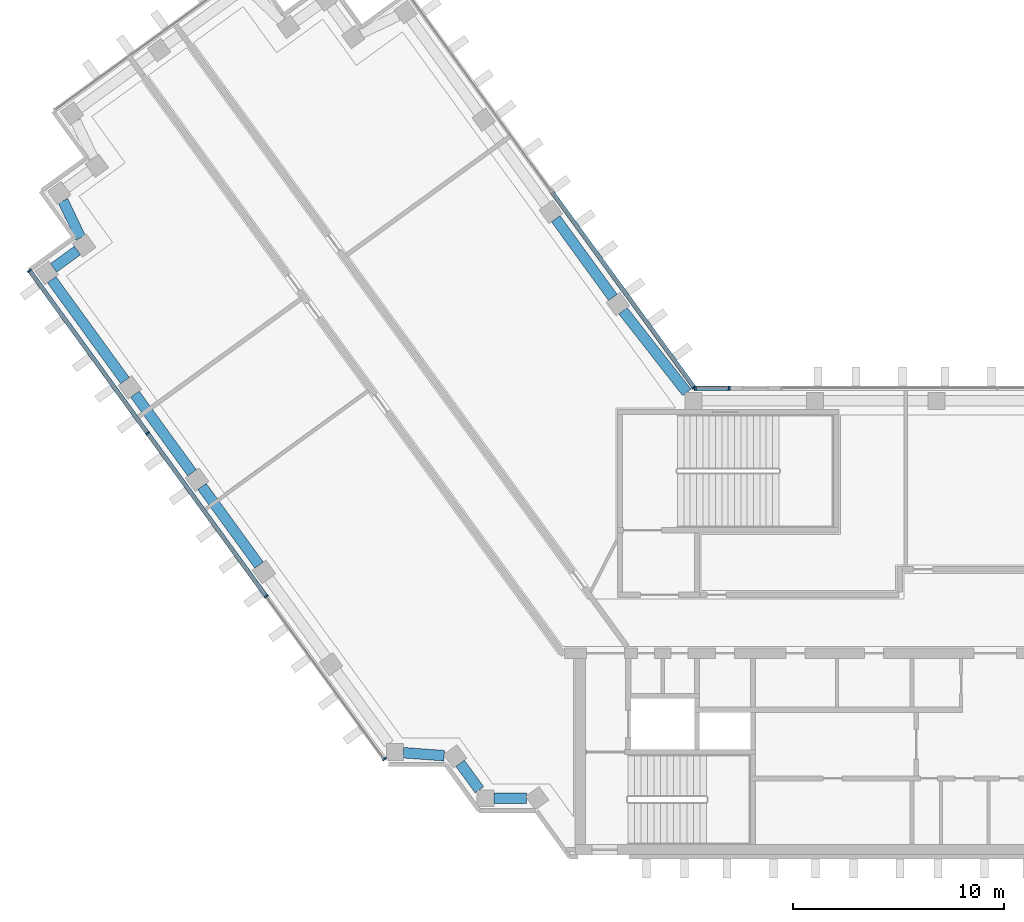
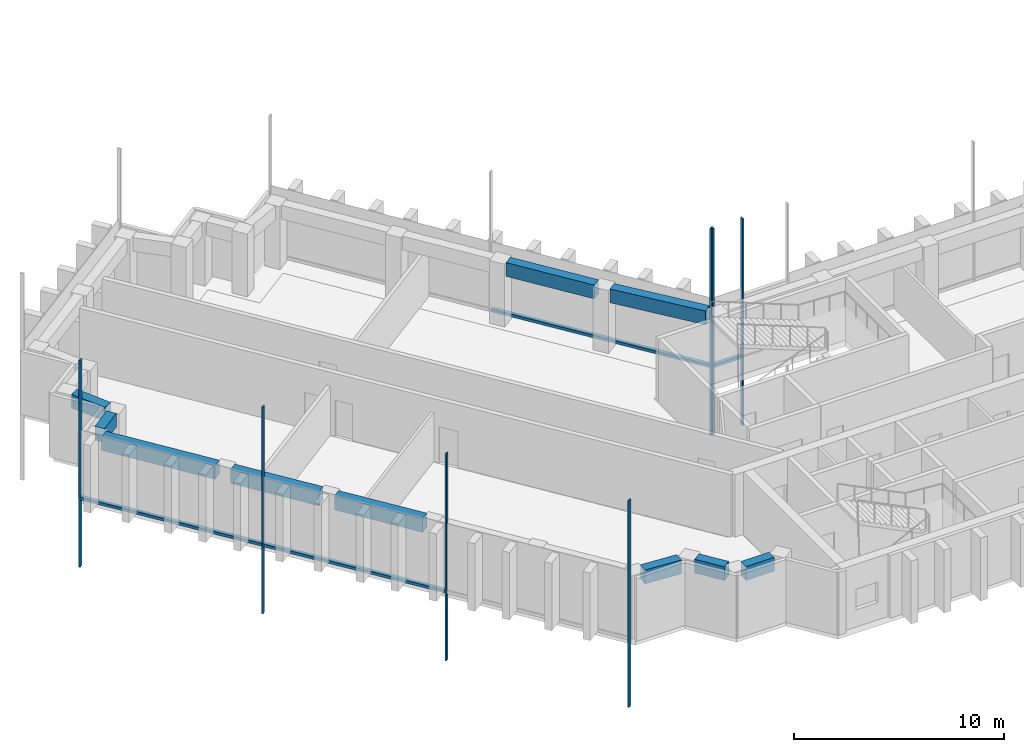
# One storey, part 2 of 12: 11 members, 10 beams, 3 elements without a shape of their own.
"""IFC4 building model written with IfcOpenShell, lengths in metres."""

from ifc_helpers import new_model, si_unit, direction, frame, origin, origin_2d, place, context, subcontext, project, spatial, rectangle, extrude, material, material_profile, profile_set, type_object, element, aggregate, save


model = new_model("IFC4")

# Units and contexts
model_context = context("Model", 3, precision=1e-05, world=origin(), true_north=direction((0.0, 1.0)))
body_context = subcontext(model_context, "Body", "Model", "MODEL_VIEW")
ifc_project = project(units=[si_unit("LENGTHUNIT", "METRE"), si_unit("AREAUNIT", "SQUARE_METRE"), si_unit("VOLUMEUNIT", "CUBIC_METRE"), si_unit("PLANEANGLEUNIT", "RADIAN"), si_unit("MASSUNIT", "GRAM", prefix="KILO")], contexts=[model_context])

# Site, building, storey
site_placement = place(None, origin())
site = spatial("IfcSite", under=ifc_project, at=site_placement, CompositionType="ELEMENT")
building_placement = place(site_placement, origin())
building = spatial("IfcBuilding", under=site, at=building_placement, Name="Quipu Civic Tower", CompositionType="ELEMENT")
storey_placement = place(building_placement, frame((0.0, 0.0, 234.0)))
storey = spatial("IfcBuildingStorey", under=building, at=storey_placement, Name="L55", CompositionType="ELEMENT", Elevation=234.0)

# Curtain wall, member
ifc_material_1 = material(Name="Insulated glass unit", Category="glass")
curtain_wall_type = type_object("IfcCurtainWallType", Name="Office curtain wall CW1", PredefinedType="NOTDEFINED", material=ifc_material_1)
curtain_wall_1_placement = place(storey_placement, origin())
curtain_wall_1 = element("IfcCurtainWall", 1, at=curtain_wall_1_placement, inside=storey, type_object=curtain_wall_type, Name="Office curtain wall CW1 L54 run 1", PredefinedType="NOTDEFINED")
ifc_material_2 = material(Name="Anodised aluminium", Category="aluminium")
ifc_material_profile_1 = material_profile(ifc_material_2, rectangle(XDim=0.199951171875, YDim=0.080078125, at=origin_2d()), Name="RECT 200x80")
ifc_profile_set_1 = profile_set([ifc_material_profile_1], Name="Anodised aluminium")
member_type_1 = type_object("IfcMemberType", Name="Mullion CW1", PredefinedType="MULLION", material=ifc_profile_set_1)
member_1_placement = place(storey_placement, frame((-14.36767578125, 11.13232421875, -3.919921875), z_axis=(0.0, 0.0, 1.0), x_axis=(-0.809014469803, -0.587788727052, 0.0)))
member_1 = element("IfcMember", 2, at=member_1_placement, type_object=member_type_1, Name="CW1 mullion 1", PredefinedType="MULLION", context=body_context, shape_type="SweptSolid", body=[
    extrude(rectangle(XDim=0.199951171875, YDim=0.080078125, at=origin_2d()), origin(), (0.0, 0.0, 1.0), 12.0),
])

# Curtain wall, members
curtain_wall_2_placement = place(storey_placement, origin())
curtain_wall_2 = element("IfcCurtainWall", 3, at=curtain_wall_2_placement, inside=storey, type_object=curtain_wall_type, Name="Office curtain wall CW1 L54 run 11", PredefinedType="NOTDEFINED")
member_2_placement = place(storey_placement, frame((-45.825927734375, 16.661865234375, -3.919921875), z_axis=(0.0, 0.0, 1.0), x_axis=(0.80901667469, 0.5877856923, 0.0)))
member_2 = element("IfcMember", 4, at=member_2_placement, type_object=member_type_1, Name="CW1 mullion 1", PredefinedType="MULLION", context=body_context, shape_type="SweptSolid", body=[
    extrude(rectangle(XDim=0.199951171875, YDim=0.080078125, at=origin_2d()), origin(), (0.0, 0.0, 1.0), 12.0),
])
member_3_placement = place(storey_placement, frame((-40.23486328125, 8.966552734375, -3.919921875), z_axis=(0.0, 0.0, 1.0), x_axis=(0.80901667469, 0.5877856923, 0.0)))
member_3 = element("IfcMember", 5, at=member_3_placement, type_object=member_type_1, Name="CW1 mullion 2", PredefinedType="MULLION", context=body_context, shape_type="SweptSolid", body=[
    extrude(rectangle(XDim=0.199951171875, YDim=0.080078125, at=origin_2d()), origin(), (0.0, 0.0, 1.0), 12.0),
])
member_4_placement = place(storey_placement, frame((-34.620361328125, 1.23876953125, -3.919921875), z_axis=(0.0, 0.0, 1.0), x_axis=(0.80901667469, 0.5877856923, 0.0)))
member_4 = element("IfcMember", 6, at=member_4_placement, type_object=member_type_1, Name="CW1 mullion 3", PredefinedType="MULLION", context=body_context, shape_type="SweptSolid", body=[
    extrude(rectangle(XDim=0.199951171875, YDim=0.080078125, at=origin_2d()), origin(), (0.0, 0.0, 1.0), 12.0),
])
member_5_placement = place(storey_placement, frame((-29.029296875, -6.45654296875, -3.919921875), z_axis=(0.0, 0.0, 1.0), x_axis=(0.80901667469, 0.5877856923, 0.0)))
member_5 = element("IfcMember", 7, at=member_5_placement, type_object=member_type_1, Name="CW1 mullion 4", PredefinedType="MULLION", context=body_context, shape_type="SweptSolid", body=[
    extrude(rectangle(XDim=0.199951171875, YDim=0.080078125, at=origin_2d()), origin(), (0.0, 0.0, 1.0), 12.0),
])

curtain_wall_3_placement = place(storey_placement, origin())
curtain_wall_3 = element("IfcCurtainWall", 8, at=curtain_wall_3_placement, inside=storey, type_object=curtain_wall_type, Name="Office curtain wall CW1 L54 run 31", PredefinedType="NOTDEFINED")
member_6_placement = place(storey_placement, frame((-12.695068359375, 11.10009765625, -3.919921875), z_axis=(0.0, 0.0, 1.0), x_axis=(0.0, -1.0, 0.0)))
member_6 = element("IfcMember", 9, at=member_6_placement, type_object=member_type_1, Name="CW1 mullion 1", PredefinedType="MULLION", context=body_context, shape_type="SweptSolid", body=[
    extrude(rectangle(XDim=0.199951171875, YDim=0.080078125, at=origin_2d()), origin(), (0.0, 0.0, 1.0), 12.0),
])
member_7_placement = place(storey_placement, frame((-14.30419921875, 11.10009765625, -3.919921875), z_axis=(0.0, 0.0, 1.0), x_axis=(0.0, -1.0, 0.0)))
member_7 = element("IfcMember", 10, at=member_7_placement, type_object=member_type_1, Name="CW1 mullion 2", PredefinedType="MULLION", context=body_context, shape_type="SweptSolid", body=[
    extrude(rectangle(XDim=0.199951171875, YDim=0.080078125, at=origin_2d()), origin(), (0.0, 0.0, 1.0), 12.0),
])

# Beams
ifc_material_3 = material(Name="Concrete C50/60", Category="concrete")
ifc_material_profile_2 = material_profile(ifc_material_3, rectangle(XDim=0.5, YDim=0.800048828125, at=origin_2d()), Name="RC500x800")
ifc_profile_set_2 = profile_set([ifc_material_profile_2], Name="Concrete C50/60")
beam_type = type_object("IfcBeamType", Name="Spandrel beam RC 500x800 C50/60", PredefinedType="SPANDREL", material=ifc_profile_set_2)
beam_1_placement = place(storey_placement, frame((-18.208740234375, 15.398681640625, 3.25), z_axis=(-0.58776136044, 0.809034352283, 0.0), x_axis=(-0.809034352283, -0.58776136044, 0.0)))
element("IfcBeam", 11, at=beam_1_placement, inside=storey, type_object=beam_type, Name="Spandrel beam L55 W-IN-01 to W-IN-02", PredefinedType="SPANDREL", context=body_context, shape_type="SweptSolid", body=[
    extrude(rectangle(XDim=0.5, YDim=0.800048828125, at=origin_2d()), origin(), (0.0, 0.0, 1.0), 4.599853515625),
])
beam_2_placement = place(storey_placement, frame((-44.23974609375, 19.9677734375, 3.25), z_axis=(0.430785642718, -0.902454281406, 0.0), x_axis=(0.902454281406, 0.430785642718, 0.0)))
element("IfcBeam", 12, at=beam_2_placement, inside=storey, type_object=beam_type, Name="Spandrel beam L55 T-Wo.2-W34 to T-Wo.3-W34", PredefinedType="SPANDREL", context=body_context, shape_type="SweptSolid", body=[
    extrude(rectangle(XDim=0.5, YDim=0.800048828125, at=origin_2d()), origin(), (0.0, 0.0, 1.0), 1.934814453125),
])
beam_3_placement = place(storey_placement, frame((-43.554443359375, 17.619140625, 3.25), z_axis=(-0.808600329101, -0.588358315805, 0.0), x_axis=(0.588358315805, -0.808600329101, 0.0)))
element("IfcBeam", 13, at=beam_3_placement, inside=storey, type_object=beam_type, Name="Spandrel beam L55 T-Wo.3-W34 to T-Wo.4-W34", PredefinedType="SPANDREL", context=body_context, shape_type="SweptSolid", body=[
    extrude(rectangle(XDim=0.5, YDim=0.800048828125, at=origin_2d()), origin(), (0.0, 0.0, 1.0), 1.400146484375),
])
beam_4_placement = place(storey_placement, frame((-44.77490234375, 16.236328125, 3.25), z_axis=(0.58780026889, -0.809006083965, 0.0), x_axis=(0.809006083965, 0.58780026889, 0.0)))
element("IfcBeam", 14, at=beam_4_placement, inside=storey, type_object=beam_type, Name="Spandrel beam L55 T-Wo.4-W34 to W-OUT-04", PredefinedType="SPANDREL", context=body_context, shape_type="SweptSolid", body=[
    extrude(rectangle(XDim=0.5, YDim=0.800048828125, at=origin_2d()), origin(), (0.0, 0.0, 1.0), 5.902587890625),
])
beam_5_placement = place(storey_placement, frame((-40.835205078125, 10.81396484375, 3.25), z_axis=(0.587770861189, -0.809027449928, 0.0), x_axis=(0.809027449928, 0.587770861189, 0.0)))
element("IfcBeam", 15, at=beam_5_placement, inside=storey, type_object=beam_type, Name="Spandrel beam L55 W-OUT-04 to W-OUT-03", PredefinedType="SPANDREL", context=body_context, shape_type="SweptSolid", body=[
    extrude(rectangle(XDim=0.5, YDim=0.800048828125, at=origin_2d()), origin(), (0.0, 0.0, 1.0), 4.60009765625),
])
beam_6_placement = place(storey_placement, frame((-37.6611328125, 6.445068359375, 3.25), z_axis=(0.58776136044, -0.809034352283, 0.0), x_axis=(0.809034352283, 0.58776136044, 0.0)))
element("IfcBeam", 16, at=beam_6_placement, inside=storey, type_object=beam_type, Name="Spandrel beam L55 W-OUT-03 to W-OUT-02", PredefinedType="SPANDREL", context=body_context, shape_type="SweptSolid", body=[
    extrude(rectangle(XDim=0.5, YDim=0.800048828125, at=origin_2d()), origin(), (0.0, 0.0, 1.0), 4.599853515625),
])
beam_7_placement = place(storey_placement, frame((-28.125, -6.158935546875, 3.25), z_axis=(0.997370796499, -0.072467194581, 0.0), x_axis=(0.072467194581, 0.997370796499, 0.0)))
element("IfcBeam", 17, at=beam_7_placement, inside=storey, type_object=beam_type, Name="Spandrel beam L55 J-Wo.0 to J-Wo.1", PredefinedType="SPANDREL", context=body_context, shape_type="SweptSolid", body=[
    extrude(rectangle(XDim=0.5, YDim=0.800048828125, at=origin_2d()), origin(), (0.0, 0.0, 1.0), 1.933837890625),
])
beam_8_placement = place(storey_placement, frame((-25.43896484375, -6.660400390625, 3.25), z_axis=(0.588330737135, -0.808620395329, 0.0), x_axis=(0.808620395329, 0.588330737135, 0.0)))
element("IfcBeam", 18, at=beam_8_placement, inside=storey, type_object=beam_type, Name="Spandrel beam L55 J-Wo.1 to J-Wo.2", PredefinedType="SPANDREL", context=body_context, shape_type="SweptSolid", body=[
    extrude(rectangle(XDim=0.5, YDim=0.800048828125, at=origin_2d()), origin(), (0.0, 0.0, 1.0), 1.551513671875),
])
beam_9_placement = place(storey_placement, frame((-23.8349609375, -8.31494140625, 3.25), z_axis=(1.0, 0.0, 0.0), x_axis=(0.0, 1.0, 0.0)))
element("IfcBeam", 19, at=beam_9_placement, inside=storey, type_object=beam_type, Name="Spandrel beam L55 J-Wo.2 to J-Wo.3", PredefinedType="SPANDREL", context=body_context, shape_type="SweptSolid", body=[
    extrude(rectangle(XDim=0.5, YDim=0.800048828125, at=origin_2d()), origin(), (0.0, 0.0, 1.0), 1.548828125),
])
beam_10_placement = place(storey_placement, frame((-14.7080078125, 10.89990234375, 3.25), z_axis=(-0.616090612932, 0.787675286306, 0.0), x_axis=(-0.787675286306, -0.616090612932, 0.0)))
element("IfcBeam", 20, at=beam_10_placement, inside=storey, type_object=beam_type, Name="Spandrel beam L55 J-Wi.0 to W-IN-01", PredefinedType="SPANDREL", context=body_context, shape_type="SweptSolid", body=[
    extrude(rectangle(XDim=0.5, YDim=0.800048828125, at=origin_2d()), origin(), (0.0, 0.0, 1.0), 4.900390625),
])

# Member
ifc_material_4 = material(Name="Anodised aluminium", Category="aluminium")
ifc_material_profile_3 = material_profile(ifc_material_4, rectangle(XDim=0.199951171875, YDim=0.159912109375, at=origin_2d()), Name="RECT 200x160")
ifc_profile_set_3 = profile_set([ifc_material_profile_3], Name="Anodised aluminium")
member_type_2 = type_object("IfcMemberType", Name="Transom CW1", PredefinedType="USERDEFINED", material=ifc_profile_set_3)
member_8_placement = place(storey_placement, frame((-14.39111328125, 11.164794921875, 0.080078125), z_axis=(-0.587799878401, 0.809006367683, 0.0), x_axis=(-0.809006367683, -0.587799878401, 0.0)))
member_8 = element("IfcMember", 21, at=member_8_placement, type_object=member_type_2, Name="CW1 transom 1.2", ObjectType="TRANSOM", PredefinedType="USERDEFINED", context=body_context, shape_type="SweptSolid", body=[
    extrude(rectangle(XDim=0.199951171875, YDim=0.159912109375, at=origin_2d()), origin(), (0.0, 0.0, 1.0), 11.402099609375),
])

aggregate(curtain_wall_1, [member_1, member_8])

member_9_placement = place(storey_placement, frame((-45.802490234375, 16.629638671875, 0.080078125), z_axis=(0.587783783239, -0.809018061703, 0.0), x_axis=(0.809018061703, 0.587783783239, 0.0)))
member_9 = element("IfcMember", 22, at=member_9_placement, type_object=member_type_2, Name="CW1 transom 1.2", ObjectType="TRANSOM", PredefinedType="USERDEFINED", context=body_context, shape_type="SweptSolid", body=[
    extrude(rectangle(XDim=0.199951171875, YDim=0.159912109375, at=origin_2d()), origin(), (0.0, 0.0, 1.0), 9.431884765625),
])

member_10_placement = place(storey_placement, frame((-40.21142578125, 8.934326171875, 0.080078125), z_axis=(0.587773158676, -0.809025780763, 0.0), x_axis=(0.809025780763, 0.587773158676, 0.0)))
member_10 = element("IfcMember", 23, at=member_10_placement, type_object=member_type_2, Name="CW1 transom 2.2", ObjectType="TRANSOM", PredefinedType="USERDEFINED", context=body_context, shape_type="SweptSolid", body=[
    extrude(rectangle(XDim=0.199951171875, YDim=0.159912109375, at=origin_2d()), origin(), (0.0, 0.0, 1.0), 9.471923828125),
])

aggregate(curtain_wall_2, [member_2, member_3, member_4, member_5, member_9, member_10])

member_11_placement = place(storey_placement, frame((-12.735107421875, 11.10009765625, 0.080078125), z_axis=(-1.0, 0.0, 0.0), x_axis=(0.0, -1.0, 0.0)))
member_11 = element("IfcMember", 24, at=member_11_placement, type_object=member_type_2, Name="CW1 transom 1.2", ObjectType="TRANSOM", PredefinedType="USERDEFINED", context=body_context, shape_type="SweptSolid", body=[
    extrude(rectangle(XDim=0.199951171875, YDim=0.159912109375, at=origin_2d()), origin(), (0.0, 0.0, 1.0), 1.529052734375),
])

aggregate(curtain_wall_3, [member_6, member_7, member_11])

save(model, "model.ifc")
